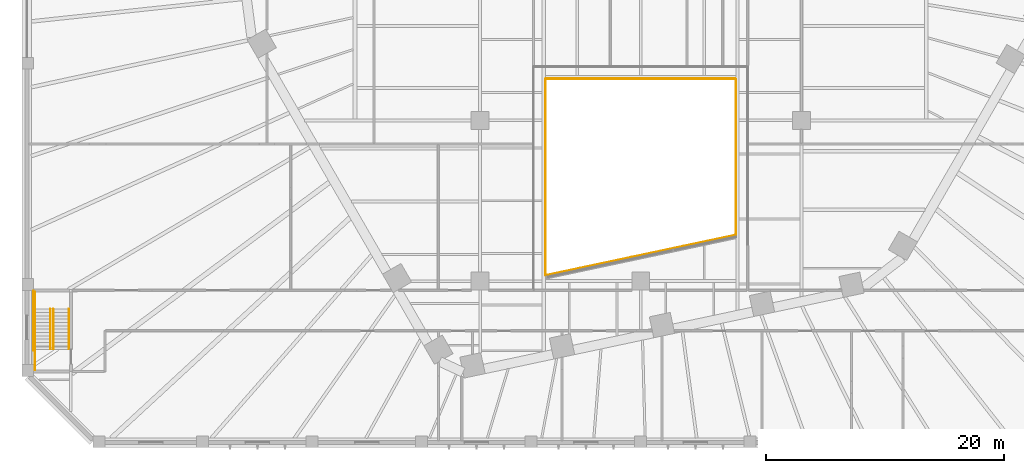
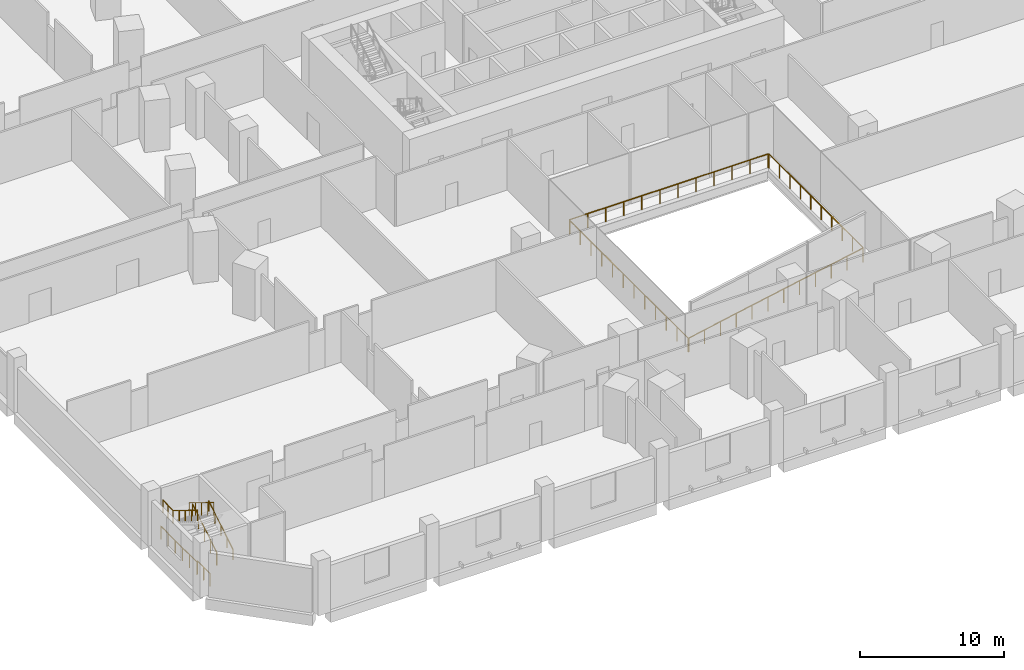
# One storey, part 29 of 33: 11 railings.
"""IFC4 building model written with IfcOpenShell, lengths in metres."""

import ifcopenshell
import ifcopenshell.guid

model = None  # the IFC model being written
_history = None  # IfcOwnerHistory: only IFC2X3 demands one
_inside = {}  # id of a spatial element -> (the spatial element, [elements in it])
_under = {}  # id of a project, library or spatial element -> (it, [spatial elements below it])
_declared = {}  # id of a project -> (the project, [libraries it declares])
_typed = {}  # id of a type object -> (the type object, [elements of that type])
_made_of = {}  # id of a material, layer set ... -> (it, [elements and type objects made of it])


def new_model(schema):
    """Start an empty IFC model of exactly this schema.

    Asked for "IFC4X3", IfcOpenShell would pick the latest addendum, in which some entities
    have other attributes; the version numbers below select the first issue.
    IFC2X3 requires an IfcOwnerHistory on every rooted entity: one is made here for all.
    """
    global model, _history
    if schema == "IFC4X3":
        model = ifcopenshell.file(schema_version=(4, 3, 0, 0))
    else:
        model = ifcopenshell.file(schema=schema)
    _inside.clear()
    _under.clear()
    _declared.clear()
    _typed.clear()
    _made_of.clear()
    _history = None
    if model.schema == "IFC2X3":
        org = make("IfcOrganization", Name="unknown")
        user = make(
            "IfcPersonAndOrganization",
            ThePerson=make("IfcPerson", FamilyName="unknown"),
            TheOrganization=org,
        )
        app = make(
            "IfcApplication",
            ApplicationDeveloper=org,
            Version="unknown",
            ApplicationFullName="unknown",
            ApplicationIdentifier="unknown",
        )
        _history = make(
            "IfcOwnerHistory",
            OwningUser=user,
            OwningApplication=app,
            ChangeAction="ADDED",
            CreationDate=0,
        )
    return model


def make(cls, **values):
    """One entity of the class cls with the attributes given. An attribute that is None is left unset."""
    return model.create_entity(
        cls, **{name: value for name, value in values.items() if value is not None}
    )


def rooted(cls, **values):
    """An entity with a GlobalId (a new one), such as an element, a storey or a relation."""
    return make(cls, GlobalId=ifcopenshell.guid.new(), OwnerHistory=_history, **values)


def si_unit(unit_type, name, prefix=None):
    """IfcSIUnit, for example si_unit("LENGTHUNIT", "METRE", prefix="MILLI")."""
    return make("IfcSIUnit", UnitType=unit_type, Prefix=prefix, Name=name)


def assignment(units):
    """IfcUnitAssignment: the units of a project."""
    return None if units is None else make("IfcUnitAssignment", Units=units)


def point(xyz):
    """IfcCartesianPoint."""
    return None if xyz is None else make("IfcCartesianPoint", Coordinates=xyz)


def direction(xyz):
    """IfcDirection."""
    return None if xyz is None else make("IfcDirection", DirectionRatios=xyz)


def frame(location, z_axis=None, x_axis=None):
    """IfcAxis2Placement3D, a coordinate frame: its origin and axes. An axis left out is left unset."""
    return make(
        "IfcAxis2Placement3D",
        Location=point(location),
        Axis=direction(z_axis),
        RefDirection=direction(x_axis),
    )


def frame_2d(location, x_axis=None):
    """IfcAxis2Placement2D, a coordinate frame in the plane: its origin and x axis."""
    return make(
        "IfcAxis2Placement2D", Location=point(location), RefDirection=direction(x_axis)
    )


def origin():
    """The frame at (0, 0, 0) with its axes left unset."""
    return frame((0.0, 0.0, 0.0))


def origin_2d():
    """The frame at (0, 0) in the plane with its x axis left unset."""
    return frame_2d((0.0, 0.0))


def place(relative_to, where):
    """IfcLocalPlacement: puts the frame where relative to a parent placement (None: the world)."""
    return make(
        "IfcLocalPlacement", PlacementRelTo=relative_to, RelativePlacement=where
    )


def context(
    kind, dimensions, precision=None, world=None, true_north=None, identifier=None
):
    """IfcGeometricRepresentationContext, for example the 3D "Model" context."""
    return make(
        "IfcGeometricRepresentationContext",
        ContextIdentifier=identifier,
        ContextType=kind,
        CoordinateSpaceDimension=dimensions,
        Precision=precision,
        WorldCoordinateSystem=world,
        TrueNorth=true_north,
    )


def subcontext(parent, identifier, kind, view, scale=None):
    """IfcGeometricRepresentationSubContext, for example "Body" below "Model"."""
    return make(
        "IfcGeometricRepresentationSubContext",
        ContextIdentifier=identifier,
        ContextType=kind,
        ParentContext=parent,
        TargetScale=scale,
        TargetView=view,
    )


def project(units=None, contexts=None):
    """IfcProject with its units and contexts."""
    return rooted(
        "IfcProject",
        Name="project",
        RepresentationContexts=contexts,
        UnitsInContext=assignment(units),
    )


def spatial(cls, under=None, at=None, **own):
    """A site, building, storey or space (cls), placed at a placement, below another one or the project."""
    s = rooted(cls, ObjectPlacement=at, **own)
    if under is not None:
        _under.setdefault(under.id(), (under, []))[1].append(s)
    return s


def profile(cls, at=None, kind="AREA", **sizes):
    """A parametric profile (cls). Its sizes go by their IFC names, for example OverallWidth=200.0."""
    return make(cls, ProfileType=kind, Position=at, **sizes)


def circle(**sizes):
    """IfcCircleProfileDef."""
    return profile("IfcCircleProfileDef", **sizes)


def extrude(swept, where, along, depth):
    """IfcExtrudedAreaSolid: the profile swept, set in the frame where, extruded along a direction by depth."""
    return make(
        "IfcExtrudedAreaSolid",
        SweptArea=swept,
        Position=where,
        ExtrudedDirection=direction(along),
        Depth=depth,
    )


def shape(context_of_items, identifier, shape_type, items):
    """IfcShapeRepresentation: the items that make up one representation, for example the "Body"."""
    return make(
        "IfcShapeRepresentation",
        ContextOfItems=context_of_items,
        RepresentationIdentifier=identifier,
        RepresentationType=shape_type,
        Items=items,
    )


def material(Name=None, Category=None):
    """IfcMaterial."""
    return make("IfcMaterial", Name=Name, Category=Category)


def made_of(thing, what):
    """Note that an element or type object is made of a material, layer set ...; save() writes the relation."""
    if what is not None:
        _made_of.setdefault(what.id(), (what, []))[1].append(thing)
    return thing


def type_object(cls, material=None, **own):
    """A type object (cls), such as IfcWallType, which elements share."""
    return made_of(rooted(cls, **own), material)


def element(
    cls,
    number,
    at=None,
    inside=None,
    cuts=None,
    type_object=None,
    material=None,
    context=None,
    identifier="Body",
    shape_type=None,
    held_by="IfcProductDefinitionShape",
    body=None,
    shapes=None,
    **own,
):
    """One element of the class cls, such as IfcWall. Its Tag is "e" and its number.

    at: its placement. inside: the storey or other place that contains it. cuts: it is an
    opening in that element (IfcRelVoidsElement). A single representation is given by context,
    identifier, shape_type and body (its items); several are given by shapes. held_by: the class
    of the entity that holds the representations. save() writes the other relations.
    """
    e = rooted(cls, Tag="e%d" % number, ObjectPlacement=at, **own)
    if body is not None:
        shapes = [shape(context, identifier, shape_type, body)]
    if shapes is not None:
        e.Representation = make(held_by, Representations=shapes)
    if inside is not None:
        _inside.setdefault(inside.id(), (inside, []))[1].append(e)
    if cuts is not None:
        rooted(
            "IfcRelVoidsElement", RelatingBuildingElement=cuts, RelatedOpeningElement=e
        )
    if type_object is not None:
        _typed.setdefault(type_object.id(), (type_object, []))[1].append(e)
    return made_of(e, material)


def aggregate(whole, parts):
    """IfcRelAggregates: a whole, such as a stair, and the parts it consists of."""
    return rooted("IfcRelAggregates", RelatingObject=whole, RelatedObjects=parts)


def save(model, path):
    """Write the relations noted so far, then the file.

    IfcRelAggregates (storeys below a building ...), IfcRelContainedInSpatialStructure (elements
    in a storey), IfcRelDefinesByType, IfcRelAssociatesMaterial and IfcRelDeclares: one each for
    every whole, place, type object, material and project.
    """
    for whole, parts in _under.values():
        aggregate(whole, parts)
    for where, things in _inside.values():
        rooted(
            "IfcRelContainedInSpatialStructure",
            RelatedElements=things,
            RelatingStructure=where,
        )
    for kind, things in _typed.values():
        rooted("IfcRelDefinesByType", RelatedObjects=things, RelatingType=kind)
    for what, things in _made_of.values():
        rooted("IfcRelAssociatesMaterial", RelatedObjects=things, RelatingMaterial=what)
    for by, libraries in _declared.values():
        rooted("IfcRelDeclares", RelatingContext=by, RelatedDefinitions=libraries)
    model.write(path)


model = new_model("IFC4")

# Units and contexts
model_context = context("Model", 3, precision=1e-05, world=origin(), true_north=direction((0.0, 1.0)))
body_context = subcontext(model_context, "Body", "Model", "MODEL_VIEW")
ifc_project = project(units=[si_unit("LENGTHUNIT", "METRE"), si_unit("AREAUNIT", "SQUARE_METRE"), si_unit("VOLUMEUNIT", "CUBIC_METRE"), si_unit("PLANEANGLEUNIT", "RADIAN"), si_unit("MASSUNIT", "GRAM", prefix="KILO")], contexts=[model_context])

# Site, building, storey
site_placement = place(None, origin())
site = spatial("IfcSite", under=ifc_project, at=site_placement, CompositionType="ELEMENT")
building_placement = place(site_placement, origin())
building = spatial("IfcBuilding", under=site, at=building_placement, Name="Isthmus Gate Tower", CompositionType="ELEMENT")
storey_placement = place(building_placement, frame((0.0, 0.0, 31.5)))
storey = spatial("IfcBuildingStorey", under=building, at=storey_placement, Name="L05", CompositionType="ELEMENT", Elevation=31.5)

# Railings
ifc_material_1 = material(Name="Toughened laminated glass with stainless steel handrail", Category="steel")
railing_type_1 = type_object("IfcRailingType", Name="Atrium glass guard 1200", PredefinedType="GUARDRAIL", material=ifc_material_1)
railing_1_placement = place(storey_placement, frame((-7.951171875, -26.53369140625, 0.0)))
element("IfcRailing", 1, at=railing_1_placement, inside=storey, type_object=railing_type_1, Name="L05 atrium glass guard 1", PredefinedType="GUARDRAIL", context=body_context, shape_type="SweptSolid", body=[
    extrude(circle(Radius=0.030029296875, at=origin_2d()), frame((0.0, 0.0, 1.169921875), z_axis=(0.978147857881, 0.20791048103, 0.0), x_axis=(-0.20791048103, 0.978147857881, 0.0)), (0.0, 0.0, 1.0), 16.257568359375),
    extrude(circle(Radius=0.02490234375, at=origin_2d()), origin(), (0.0, 0.0, 1.0), 1.139892578125),
    extrude(circle(Radius=0.02490234375, at=origin_2d()), frame((1.445556640625, 0.307373046875, 0.0)), (0.0, 0.0, 1.0), 1.139892578125),
    extrude(circle(Radius=0.02490234375, at=origin_2d()), frame((2.891357421875, 0.614501953125, 0.0)), (0.0, 0.0, 1.0), 1.139892578125),
    extrude(circle(Radius=0.02490234375, at=origin_2d()), frame((4.3369140625, 0.921875, 0.0)), (0.0, 0.0, 1.0), 1.139892578125),
    extrude(circle(Radius=0.02490234375, at=origin_2d()), frame((5.78271484375, 1.229248046875, 0.0)), (0.0, 0.0, 1.0), 1.139892578125),
    extrude(circle(Radius=0.02490234375, at=origin_2d()), frame((7.228271484375, 1.536376953125, 0.0)), (0.0, 0.0, 1.0), 1.139892578125),
    extrude(circle(Radius=0.02490234375, at=origin_2d()), frame((8.674072265625, 1.84375, 0.0)), (0.0, 0.0, 1.0), 1.139892578125),
    extrude(circle(Radius=0.02490234375, at=origin_2d()), frame((10.11962890625, 2.15087890625, 0.0)), (0.0, 0.0, 1.0), 1.139892578125),
    extrude(circle(Radius=0.02490234375, at=origin_2d()), frame((11.5654296875, 2.458251953125, 0.0)), (0.0, 0.0, 1.0), 1.139892578125),
    extrude(circle(Radius=0.02490234375, at=origin_2d()), frame((13.010986328125, 2.765625, 0.0)), (0.0, 0.0, 1.0), 1.139892578125),
    extrude(circle(Radius=0.02490234375, at=origin_2d()), frame((14.456787109375, 3.07275390625, 0.0)), (0.0, 0.0, 1.0), 1.139892578125),
    extrude(circle(Radius=0.02490234375, at=origin_2d()), frame((15.90234375, 3.380126953125, 0.0)), (0.0, 0.0, 1.0), 1.139892578125),
])
railing_2_placement = place(storey_placement, frame((8.0, -23.09326171875, 0.0)))
element("IfcRailing", 2, at=railing_2_placement, inside=storey, type_object=railing_type_1, Name="L05 atrium glass guard 2", PredefinedType="GUARDRAIL", context=body_context, shape_type="SweptSolid", body=[
    extrude(circle(Radius=0.030029296875, at=origin_2d()), frame((0.0, 0.0, 1.169921875), z_axis=(0.0, 1.0, 0.0), x_axis=(-1.0, 0.0, 0.0)), (0.0, 0.0, 1.0), 13.043212890625),
    extrude(circle(Radius=0.02490234375, at=origin_2d()), origin(), (0.0, 0.0, 1.0), 1.139892578125),
    extrude(circle(Radius=0.02490234375, at=origin_2d()), frame((0.0, 1.44921875, 0.0)), (0.0, 0.0, 1.0), 1.139892578125),
    extrude(circle(Radius=0.02490234375, at=origin_2d()), frame((0.0, 2.8984375, 0.0)), (0.0, 0.0, 1.0), 1.139892578125),
    extrude(circle(Radius=0.02490234375, at=origin_2d()), frame((0.0, 4.34765625, 0.0)), (0.0, 0.0, 1.0), 1.139892578125),
    extrude(circle(Radius=0.02490234375, at=origin_2d()), frame((0.0, 5.796875, 0.0)), (0.0, 0.0, 1.0), 1.139892578125),
    extrude(circle(Radius=0.02490234375, at=origin_2d()), frame((0.0, 7.246337890625, 0.0)), (0.0, 0.0, 1.0), 1.139892578125),
    extrude(circle(Radius=0.02490234375, at=origin_2d()), frame((0.0, 8.695556640625, 0.0)), (0.0, 0.0, 1.0), 1.139892578125),
    extrude(circle(Radius=0.02490234375, at=origin_2d()), frame((0.0, 10.144775390625, 0.0)), (0.0, 0.0, 1.0), 1.139892578125),
    extrude(circle(Radius=0.02490234375, at=origin_2d()), frame((0.0, 11.593994140625, 0.0)), (0.0, 0.0, 1.0), 1.139892578125),
    extrude(circle(Radius=0.02490234375, at=origin_2d()), frame((0.0, 13.043212890625, 0.0)), (0.0, 0.0, 1.0), 1.139892578125),
])
railing_3_placement = place(storey_placement, frame((7.949951171875, -10.0, 0.0)))
element("IfcRailing", 3, at=railing_3_placement, inside=storey, type_object=railing_type_1, Name="L05 atrium glass guard 3", PredefinedType="GUARDRAIL", context=body_context, shape_type="SweptSolid", body=[
    extrude(circle(Radius=0.030029296875, at=origin_2d()), frame((0.0, 0.0, 1.169921875), z_axis=(-1.0, 0.0, 0.0), x_axis=(0.0, -1.0, 0.0)), (0.0, 0.0, 1.0), 15.89990234375),
    extrude(circle(Radius=0.02490234375, at=origin_2d()), origin(), (0.0, 0.0, 1.0), 1.139892578125),
    extrude(circle(Radius=0.02490234375, at=origin_2d()), frame((-1.445556640625, 0.0, 0.0)), (0.0, 0.0, 1.0), 1.139892578125),
    extrude(circle(Radius=0.02490234375, at=origin_2d()), frame((-2.890869140625, 0.0, 0.0)), (0.0, 0.0, 1.0), 1.139892578125),
    extrude(circle(Radius=0.02490234375, at=origin_2d()), frame((-4.33642578125, 0.0, 0.0)), (0.0, 0.0, 1.0), 1.139892578125),
    extrude(circle(Radius=0.02490234375, at=origin_2d()), frame((-5.78173828125, 0.0, 0.0)), (0.0, 0.0, 1.0), 1.139892578125),
    extrude(circle(Radius=0.02490234375, at=origin_2d()), frame((-7.227294921875, 0.0, 0.0)), (0.0, 0.0, 1.0), 1.139892578125),
    extrude(circle(Radius=0.02490234375, at=origin_2d()), frame((-8.672607421875, 0.0, 0.0)), (0.0, 0.0, 1.0), 1.139892578125),
    extrude(circle(Radius=0.02490234375, at=origin_2d()), frame((-10.1181640625, 0.0, 0.0)), (0.0, 0.0, 1.0), 1.139892578125),
    extrude(circle(Radius=0.02490234375, at=origin_2d()), frame((-11.5634765625, 0.0, 0.0)), (0.0, 0.0, 1.0), 1.139892578125),
    extrude(circle(Radius=0.02490234375, at=origin_2d()), frame((-13.009033203125, 0.0, 0.0)), (0.0, 0.0, 1.0), 1.139892578125),
    extrude(circle(Radius=0.02490234375, at=origin_2d()), frame((-14.454345703125, 0.0, 0.0)), (0.0, 0.0, 1.0), 1.139892578125),
    extrude(circle(Radius=0.02490234375, at=origin_2d()), frame((-15.89990234375, 0.0, 0.0)), (0.0, 0.0, 1.0), 1.139892578125),
])
railing_4_placement = place(storey_placement, frame((-8.0, -10.050048828125, 0.0)))
element("IfcRailing", 4, at=railing_4_placement, inside=storey, type_object=railing_type_1, Name="L05 atrium glass guard 4", PredefinedType="GUARDRAIL", context=body_context, shape_type="SweptSolid", body=[
    extrude(circle(Radius=0.030029296875, at=origin_2d()), frame((0.0, 0.0, 1.169921875), z_axis=(0.0, -1.0, 0.0), x_axis=(1.0, 0.0, 0.0)), (0.0, 0.0, 1.0), 16.444091796875),
    extrude(circle(Radius=0.02490234375, at=origin_2d()), origin(), (0.0, 0.0, 1.0), 1.139892578125),
    extrude(circle(Radius=0.02490234375, at=origin_2d()), frame((0.0, -1.494873046875, 0.0)), (0.0, 0.0, 1.0), 1.139892578125),
    extrude(circle(Radius=0.02490234375, at=origin_2d()), frame((0.0, -2.98974609375, 0.0)), (0.0, 0.0, 1.0), 1.139892578125),
    extrude(circle(Radius=0.02490234375, at=origin_2d()), frame((0.0, -4.48486328125, 0.0)), (0.0, 0.0, 1.0), 1.139892578125),
    extrude(circle(Radius=0.02490234375, at=origin_2d()), frame((0.0, -5.979736328125, 0.0)), (0.0, 0.0, 1.0), 1.139892578125),
    extrude(circle(Radius=0.02490234375, at=origin_2d()), frame((0.0, -7.474609375, 0.0)), (0.0, 0.0, 1.0), 1.139892578125),
    extrude(circle(Radius=0.02490234375, at=origin_2d()), frame((0.0, -8.969482421875, 0.0)), (0.0, 0.0, 1.0), 1.139892578125),
    extrude(circle(Radius=0.02490234375, at=origin_2d()), frame((0.0, -10.46435546875, 0.0)), (0.0, 0.0, 1.0), 1.139892578125),
    extrude(circle(Radius=0.02490234375, at=origin_2d()), frame((0.0, -11.959228515625, 0.0)), (0.0, 0.0, 1.0), 1.139892578125),
    extrude(circle(Radius=0.02490234375, at=origin_2d()), frame((0.0, -13.454345703125, 0.0)), (0.0, 0.0, 1.0), 1.139892578125),
    extrude(circle(Radius=0.02490234375, at=origin_2d()), frame((0.0, -14.94921875, 0.0)), (0.0, 0.0, 1.0), 1.139892578125),
    extrude(circle(Radius=0.02490234375, at=origin_2d()), frame((0.0, -16.444091796875, 0.0)), (0.0, 0.0, 1.0), 1.139892578125),
])
ifc_material_2 = material(Name="Painted steel balusters with timber handrail", Category="steel")
railing_type_2 = type_object("IfcRailingType", Name="Podium stair guard 1100", PredefinedType="GUARDRAIL", material=ifc_material_2)
railing_5_placement = place(storey_placement, frame((-49.35009765625, -32.72509765625, 0.173095703125)))
element("IfcRailing", 5, at=railing_5_placement, inside=storey, type_object=railing_type_2, Name="L05 ST3 stair guard 1", PredefinedType="GUARDRAIL", context=body_context, shape_type="SweptSolid", body=[
    extrude(circle(Radius=0.02392578125, at=origin_2d()), frame((0.0, 0.0, 1.076171875), z_axis=(0.0, 0.850623216509, 0.525775754039), x_axis=(-1.0, 0.0, 0.0)), (0.0, 0.0, 1.0), 3.9501953125),
    extrude(circle(Radius=0.02099609375, at=origin_2d()), origin(), (0.0, 0.0, 1.0), 1.052001953125),
    extrude(circle(Radius=0.02099609375, at=origin_2d()), frame((0.0, 0.840087890625, 0.519287109375)), (0.0, 0.0, 1.0), 1.052001953125),
    extrude(circle(Radius=0.02099609375, at=origin_2d()), frame((0.0, 1.68017578125, 1.03857421875)), (0.0, 0.0, 1.0), 1.052001953125),
    extrude(circle(Radius=0.02099609375, at=origin_2d()), frame((0.0, 2.52001953125, 1.5576171875)), (0.0, 0.0, 1.0), 1.052001953125),
    extrude(circle(Radius=0.02099609375, at=origin_2d()), frame((0.0, 3.360107421875, 2.076904296875)), (0.0, 0.0, 1.0), 1.052001953125),
])
railing_6_placement = place(storey_placement, frame((-50.89990234375, -29.364990234375, 2.25)))
element("IfcRailing", 6, at=railing_6_placement, inside=storey, type_object=railing_type_2, Name="L05 ST3 stair guard 2", PredefinedType="GUARDRAIL", context=body_context, shape_type="SweptSolid", body=[
    extrude(circle(Radius=0.02392578125, at=origin_2d()), frame((0.0, 0.0, 1.076171875), z_axis=(0.0, 1.0, 0.0), x_axis=(-1.0, 0.0, 0.0)), (0.0, 0.0, 1.0), 1.43603515625),
    extrude(circle(Radius=0.02099609375, at=origin_2d()), origin(), (0.0, 0.0, 1.0), 1.052001953125),
    extrude(circle(Radius=0.02099609375, at=origin_2d()), frame((0.0, 0.718017578125, 0.0)), (0.0, 0.0, 1.0), 1.052001953125),
    extrude(circle(Radius=0.02099609375, at=origin_2d()), frame((0.0, 1.43603515625, 0.0)), (0.0, 0.0, 1.0), 1.052001953125),
])
railing_7_placement = place(storey_placement, frame((-49.60009765625, -29.364990234375, 2.423095703125)))
element("IfcRailing", 7, at=railing_7_placement, inside=storey, type_object=railing_type_2, Name="L05 ST3 stair guard 3", PredefinedType="GUARDRAIL", context=body_context, shape_type="SweptSolid", body=[
    extrude(circle(Radius=0.02392578125, at=origin_2d()), frame((0.0, 0.0, 1.076171875), z_axis=(0.0, -0.850623216509, 0.525775754039), x_axis=(1.0, 0.0, 0.0)), (0.0, 0.0, 1.0), 3.9501953125),
    extrude(circle(Radius=0.02099609375, at=origin_2d()), origin(), (0.0, 0.0, 1.0), 1.052001953125),
    extrude(circle(Radius=0.02099609375, at=origin_2d()), frame((0.0, -0.840087890625, 0.519287109375)), (0.0, 0.0, 1.0), 1.052001953125),
    extrude(circle(Radius=0.02099609375, at=origin_2d()), frame((0.0, -1.68017578125, 1.03857421875)), (0.0, 0.0, 1.0), 1.052001953125),
    extrude(circle(Radius=0.02099609375, at=origin_2d()), frame((0.0, -2.52001953125, 1.5576171875)), (0.0, 0.0, 1.0), 1.052001953125),
    extrude(circle(Radius=0.02099609375, at=origin_2d()), frame((0.0, -3.360107421875, 2.076904296875)), (0.0, 0.0, 1.0), 1.052001953125),
])
railing_8_placement = place(storey_placement, frame((-50.89990234375, -34.47509765625, 0.0)))
element("IfcRailing", 8, at=railing_8_placement, inside=storey, type_object=railing_type_2, Name="L05 ST3 stair guard 4", PredefinedType="GUARDRAIL", context=body_context, shape_type="SweptSolid", body=[
    extrude(circle(Radius=0.02392578125, at=origin_2d()), frame((0.0, 0.0, 1.076171875), z_axis=(0.0, 1.0, 0.0), x_axis=(-1.0, 0.0, 0.0)), (0.0, 0.0, 1.0), 1.75),
    extrude(circle(Radius=0.02099609375, at=origin_2d()), origin(), (0.0, 0.0, 1.0), 1.052001953125),
    extrude(circle(Radius=0.02099609375, at=origin_2d()), frame((0.0, 0.875, 0.0)), (0.0, 0.0, 1.0), 1.052001953125),
    extrude(circle(Radius=0.02099609375, at=origin_2d()), frame((0.0, 1.75, 0.0)), (0.0, 0.0, 1.0), 1.052001953125),
])
railing_9_placement = place(storey_placement, frame((-51.0, -32.824951171875, 0.0)))
element("IfcRailing", 9, at=railing_9_placement, inside=storey, type_object=railing_type_2, Name="L05 ST3 stair guard 5", PredefinedType="GUARDRAIL", context=body_context, shape_type="SweptSolid", body=[
    extrude(circle(Radius=0.02392578125, at=origin_2d()), frame((0.0, 0.0, 1.076171875), z_axis=(0.0, 1.0, 0.0), x_axis=(-1.0, 0.0, 0.0)), (0.0, 0.0, 1.0), 4.995849609375),
    extrude(circle(Radius=0.02099609375, at=origin_2d()), origin(), (0.0, 0.0, 1.0), 1.052001953125),
    extrude(circle(Radius=0.02099609375, at=origin_2d()), frame((0.0, 0.999267578125, 0.0)), (0.0, 0.0, 1.0), 1.052001953125),
    extrude(circle(Radius=0.02099609375, at=origin_2d()), frame((0.0, 1.998291015625, 0.0)), (0.0, 0.0, 1.0), 1.052001953125),
    extrude(circle(Radius=0.02099609375, at=origin_2d()), frame((0.0, 2.99755859375, 0.0)), (0.0, 0.0, 1.0), 1.052001953125),
    extrude(circle(Radius=0.02099609375, at=origin_2d()), frame((0.0, 3.99658203125, 0.0)), (0.0, 0.0, 1.0), 1.052001953125),
    extrude(circle(Radius=0.02099609375, at=origin_2d()), frame((0.0, 4.995849609375, 0.0)), (0.0, 0.0, 1.0), 1.052001953125),
])
ifc_material_3 = material(Name="Stainless steel tube", Category="steel")
railing_type_3 = type_object("IfcRailingType", Name="Podium stair handrail 900", PredefinedType="HANDRAIL", material=ifc_material_3)
railing_10_placement = place(storey_placement, frame((-48.050048828125, -32.72509765625, 0.173095703125)))
element("IfcRailing", 10, at=railing_10_placement, inside=storey, type_object=railing_type_3, Name="L05 ST3 stair handrail 1", PredefinedType="HANDRAIL", context=body_context, shape_type="SweptSolid", body=[
    extrude(circle(Radius=0.02392578125, at=origin_2d()), frame((0.0, 0.0, 0.8759765625), z_axis=(0.0, 0.850623216509, 0.525775754039), x_axis=(-1.0, 0.0, 0.0)), (0.0, 0.0, 1.0), 3.9501953125),
    extrude(circle(Radius=0.02099609375, at=origin_2d()), origin(), (0.0, 0.0, 1.0), 0.851806640625),
    extrude(circle(Radius=0.02099609375, at=origin_2d()), frame((0.0, 0.840087890625, 0.519287109375)), (0.0, 0.0, 1.0), 0.851806640625),
    extrude(circle(Radius=0.02099609375, at=origin_2d()), frame((0.0, 1.68017578125, 1.03857421875)), (0.0, 0.0, 1.0), 0.851806640625),
    extrude(circle(Radius=0.02099609375, at=origin_2d()), frame((0.0, 2.52001953125, 1.5576171875)), (0.0, 0.0, 1.0), 0.851806640625),
    extrude(circle(Radius=0.02099609375, at=origin_2d()), frame((0.0, 3.360107421875, 2.076904296875)), (0.0, 0.0, 1.0), 0.851806640625),
])
railing_11_placement = place(storey_placement, frame((-50.89990234375, -29.364990234375, 2.423095703125)))
element("IfcRailing", 11, at=railing_11_placement, inside=storey, type_object=railing_type_3, Name="L05 ST3 stair handrail 2", PredefinedType="HANDRAIL", context=body_context, shape_type="SweptSolid", body=[
    extrude(circle(Radius=0.02392578125, at=origin_2d()), frame((0.0, 0.0, 0.8759765625), z_axis=(0.0, -0.850623216509, 0.525775754039), x_axis=(1.0, 0.0, 0.0)), (0.0, 0.0, 1.0), 3.9501953125),
    extrude(circle(Radius=0.02099609375, at=origin_2d()), origin(), (0.0, 0.0, 1.0), 0.851806640625),
    extrude(circle(Radius=0.02099609375, at=origin_2d()), frame((0.0, -0.840087890625, 0.519287109375)), (0.0, 0.0, 1.0), 0.851806640625),
    extrude(circle(Radius=0.02099609375, at=origin_2d()), frame((0.0, -1.68017578125, 1.03857421875)), (0.0, 0.0, 1.0), 0.851806640625),
    extrude(circle(Radius=0.02099609375, at=origin_2d()), frame((0.0, -2.52001953125, 1.5576171875)), (0.0, 0.0, 1.0), 0.851806640625),
    extrude(circle(Radius=0.02099609375, at=origin_2d()), frame((0.0, -3.360107421875, 2.076904296875)), (0.0, 0.0, 1.0), 0.851806640625),
])

save(model, "model.ifc")
